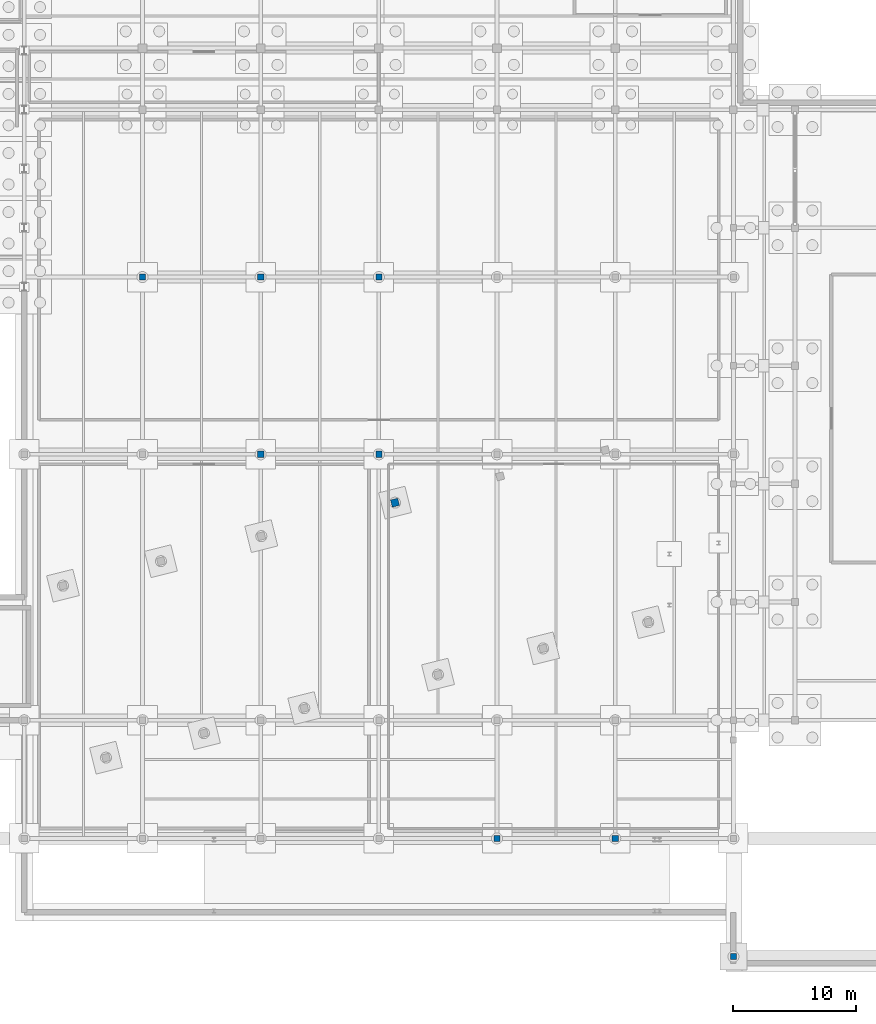
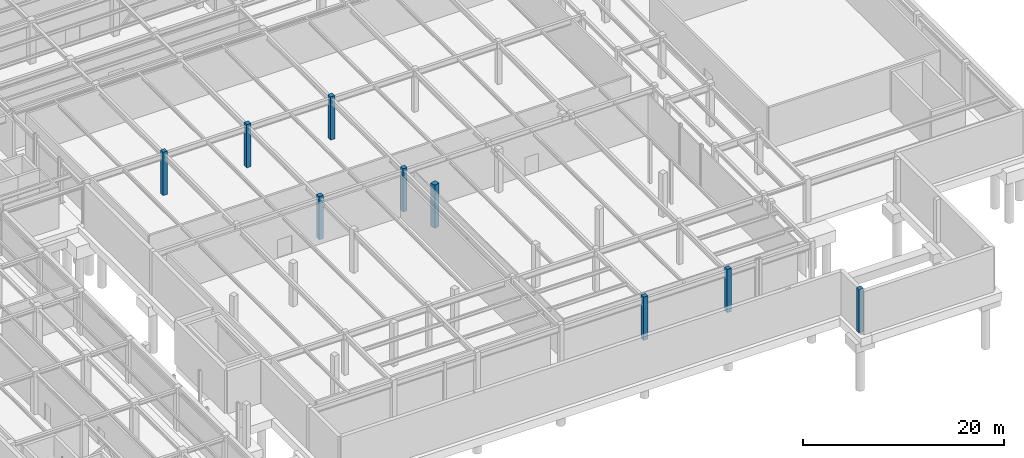
# One storey, part 9 of 33: 9 columns.
"""IFC4 building model written with IfcOpenShell, lengths in metres."""

from ifc_helpers import new_model, si_unit, direction, frame, origin, origin_2d, place, context, subcontext, project, spatial, rectangle, extrude, material, material_profile, profile_set, type_object, element, save


model = new_model("IFC4")

# Units and contexts
model_context = context("Model", 3, precision=1e-05, world=origin(), true_north=direction((0.0, 1.0)))
body_context = subcontext(model_context, "Body", "Model", "MODEL_VIEW")
ifc_project = project(units=[si_unit("LENGTHUNIT", "METRE"), si_unit("AREAUNIT", "SQUARE_METRE"), si_unit("VOLUMEUNIT", "CUBIC_METRE"), si_unit("PLANEANGLEUNIT", "RADIAN"), si_unit("MASSUNIT", "GRAM", prefix="KILO")], contexts=[model_context])

# Site, building, storey
site_placement = place(None, origin())
site = spatial("IfcSite", under=ifc_project, at=site_placement, CompositionType="ELEMENT")
building_placement = place(site_placement, origin())
building = spatial("IfcBuilding", under=site, at=building_placement, Name="Nordkorset Police Headquarters", CompositionType="ELEMENT")
storey_placement = place(building_placement, frame((0.0, 0.0, -9.800048828125)))
storey = spatial("IfcBuildingStorey", under=building, at=storey_placement, Name="B02", CompositionType="ELEMENT", Elevation=-9.800048828125)

# Columns
ifc_material_1 = material(Name="Concrete C45/55", Category="concrete")
ifc_material_profile_1 = material_profile(ifc_material_1, rectangle(XDim=0.5, YDim=0.5, at=origin_2d()), Name="RC 500x500")
ifc_profile_set_1 = profile_set([ifc_material_profile_1], Name="Concrete C45/55")
column_type_1 = type_object("IfcColumnType", Name="Col_RC_500x500", PredefinedType="COLUMN", material=ifc_profile_set_1)
for number, where, z_axis, x_axis, name in (
    (1, (38.39990234375, 84.0, 0.0), (0.0, 0.0, 1.0), (1.0, 0.0, 0.0), "Structural Column SUB_C_1_3 B02"),
    (2, (48.0, 69.60009765625, 0.0), (0.0, 0.0, 1.0), (1.0, 0.0, 0.0), "Structural Column SUB_C_2_2 B02"),
    (3, (48.0, 84.0, 0.0), (0.0, 0.0, 1.0), (1.0, 0.0, 0.0), "Structural Column SUB_C_2_3 B02"),
    (4, (57.60009765625, 69.60009765625, 0.0), (0.0, 0.0, 1.0), (1.0, 0.0, 0.0), "Structural Column SUB_C_3_2 B02"),
    (5, (57.60009765625, 84.0, 0.0), (0.0, 0.0, 1.0), (1.0, 0.0, 0.0), "Structural Column SUB_C_3_3 B02"),
    (6, (67.199951171875, 38.39990234375, 0.0), (0.0, 0.0, 1.0), (1.0, 0.0, 0.0), "Structural Column SUB_C_4_0 B02"),
    (7, (76.800048828125, 38.39990234375, 0.0), (0.0, 0.0, 1.0), (1.0, 0.0, 0.0), "Structural Column SUB_C_5_0 B02"),
    (8, (86.39990234375, 28.800048828125, 0.0), (0.0, 0.0, 1.0), (1.0, 0.0, 0.0), "Structural Column V7_EC_0_288 B02"),
):
    element("IfcColumn", number, at=place(storey_placement, frame(where, z_axis=z_axis, x_axis=x_axis)), inside=storey, type_object=column_type_1, Name=name, PredefinedType="COLUMN", context=body_context, shape_type="SweptSolid", body=[
        extrude(rectangle(XDim=0.5, YDim=0.5, at=origin_2d()), origin(), (0.0, 0.0, 1.0), 5.25),
    ])
ifc_material_2 = material(Name="Concrete C45/55", Category="concrete")
ifc_material_profile_2 = material_profile(ifc_material_2, rectangle(XDim=0.60009765625, YDim=0.60009765625, at=origin_2d()), Name="RC 600x600")
ifc_profile_set_2 = profile_set([ifc_material_profile_2], Name="Concrete C45/55")
column_type_2 = type_object("IfcColumnType", Name="Col_RC_600x600", PredefinedType="COLUMN", material=ifc_profile_set_2)
column_placement = place(storey_placement, frame((58.9130859375, 65.67138671875, 0.0), z_axis=(0.0, 0.0, 1.0), x_axis=(0.970142500145, 0.242535625038, 0.0)))
element("IfcColumn", 9, at=column_placement, inside=storey, type_object=column_type_2, Name="Structural Column V4_U4_V1 B02", PredefinedType="COLUMN", context=body_context, shape_type="SweptSolid", body=[
    extrude(rectangle(XDim=0.60009765625, YDim=0.60009765625, at=origin_2d()), origin(), (0.0, 0.0, 1.0), 5.25),
])

save(model, "model.ifc")
